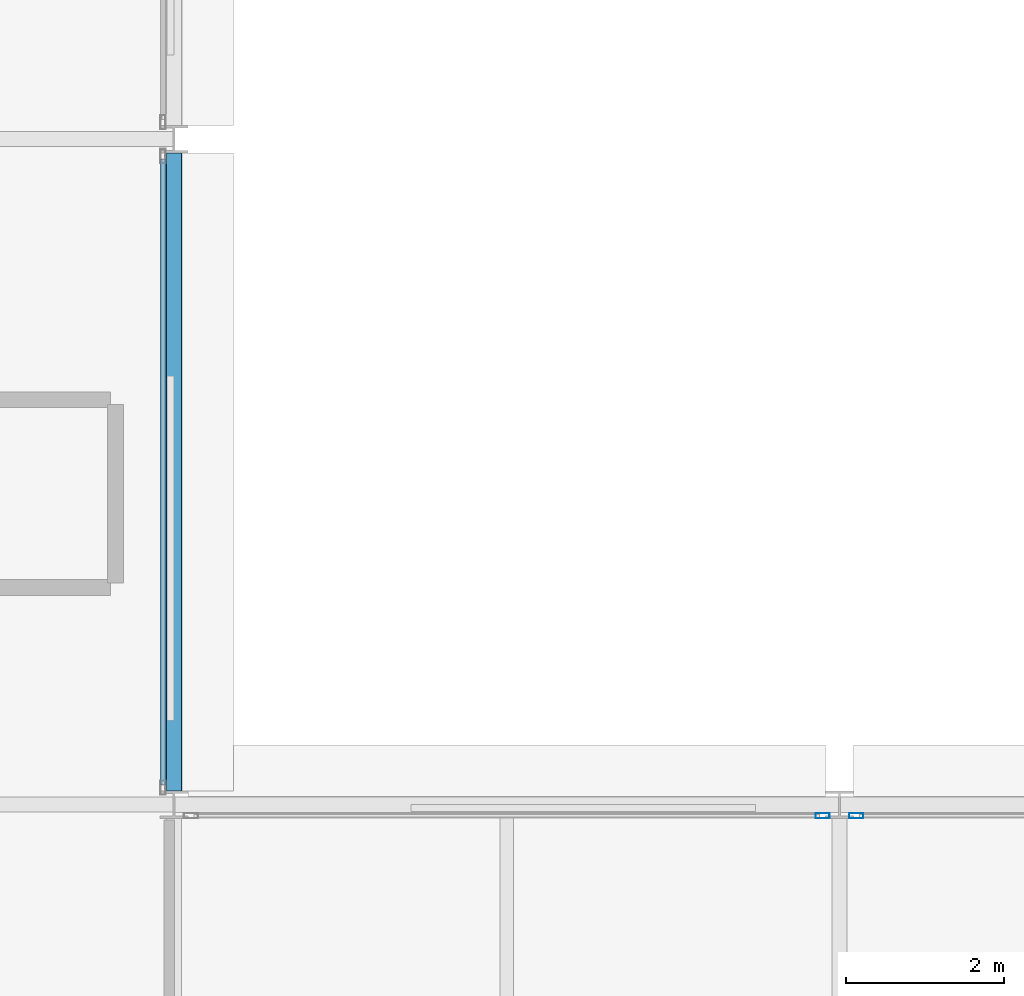
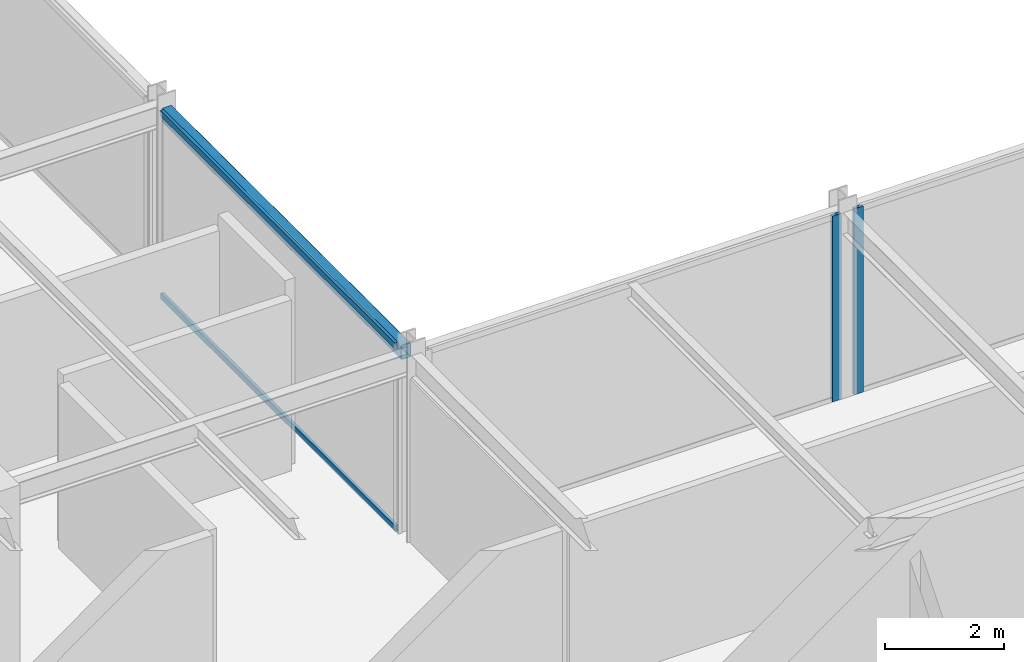
# One storey, part 15 of 29: 4 members, 1 beam, 3 elements without a shape of their own.
"""IFC4 building model written with IfcOpenShell, lengths in metres."""

from ifc_helpers import new_model, si_unit, direction, frame, origin, origin_2d, place, context, subcontext, project, spatial, hollow_rectangle, extrude, material, layer, layer_set, material_profile, profile_set, type_object, element, aggregate, save


model = new_model("IFC4")

# Units and contexts
model_context = context("Model", 3, precision=1e-05, world=origin(), true_north=direction((0.0, 1.0)))
body_context = subcontext(model_context, "Body", "Model", "MODEL_VIEW")
ifc_project = project(units=[si_unit("LENGTHUNIT", "METRE"), si_unit("AREAUNIT", "SQUARE_METRE"), si_unit("VOLUMEUNIT", "CUBIC_METRE"), si_unit("PLANEANGLEUNIT", "RADIAN"), si_unit("MASSUNIT", "GRAM", prefix="KILO")], contexts=[model_context])

# Site, building, storey
site_placement = place(None, origin())
site = spatial("IfcSite", under=ifc_project, at=site_placement, CompositionType="ELEMENT")
building_placement = place(site_placement, origin())
building = spatial("IfcBuilding", under=site, at=building_placement, Name="Nerrivon Quay Data Exchange", CompositionType="ELEMENT")
storey_placement = place(building_placement, frame((0.0, 0.0, 191.89990234375)))
storey = spatial("IfcBuildingStorey", under=building, at=storey_placement, Name="L45", CompositionType="ELEMENT", Elevation=191.89990234375)

# Beam
ifc_material_1 = material(Name="Steel Grade C350L0 (350 MPa)", Category="steel")
ifc_material_profile_1 = material_profile(ifc_material_1, hollow_rectangle(XDim=0.199951171875, YDim=0.300048828125, WallThickness=0.012451171875, InnerFilletRadius=0.018798828125, OuterFilletRadius=0.03125, at=origin_2d()), Name="300x200x12.5RHS")
ifc_profile_set_1 = profile_set([ifc_material_profile_1], Name="Steel Grade C350L0 (350 MPa)")
beam_type = type_object("IfcBeamType", Name="BM-SP3-300x200RHS", PredefinedType="SPANDREL", material=ifc_profile_set_1)
beam_placement = place(storey_placement, frame((25.199951171875, 25.375, 3.675048828125), z_axis=(0.0, 1.0, 0.0), x_axis=(-1.0, 0.0, 0.0)))
element("IfcBeam", 1, at=beam_placement, inside=storey, type_object=beam_type, Name="L45 NS Girder X=25.2 (25.2..33.6)", PredefinedType="SPANDREL", context=body_context, shape_type="SweptSolid", body=[
    extrude(hollow_rectangle(XDim=0.199951171875, YDim=0.300048828125, WallThickness=0.012451171875, InnerFilletRadius=0.018798828125, OuterFilletRadius=0.03125, at=origin_2d()), origin(), (0.0, 0.0, 1.0), 8.050048828125),
])

# Curtain wall, member
ifc_material_2 = material(Name="Anodised aluminium 6063-T6", Category="aluminium")
ifc_layer = layer(ifc_material_2, 0.195068359375)
ifc_layer_set = layer_set([ifc_layer], Name="Anodised aluminium 6063-T6")
curtain_wall_type = type_object("IfcCurtainWallType", Name="CW-SYS-06", PredefinedType="NOTDEFINED", material=ifc_layer_set)
curtain_wall_1_placement = place(storey_placement, origin())
curtain_wall_1 = element("IfcCurtainWall", 2, at=curtain_wall_1_placement, inside=storey, type_object=curtain_wall_type, Name="L45 Unitised Curtain Wall 16", PredefinedType="NOTDEFINED")
ifc_material_profile_2 = material_profile(ifc_material_2, hollow_rectangle(XDim=0.06494140625, YDim=0.179931640625, WallThickness=0.00341796875, at=origin_2d()), Name="ALU-MULL-180x65")
ifc_profile_set_2 = profile_set([ifc_material_profile_2], Name="Anodised aluminium 6063-T6")
member_type_1 = type_object("IfcMemberType", Name="CWM-180x65", PredefinedType="MULLION", material=ifc_profile_set_2)
member_1_placement = place(storey_placement, frame((33.387451171875, 25.06005859375, 0.0), z_axis=(0.0, 0.0, 1.0), x_axis=(0.0, 1.0, 0.0)))
member_1 = element("IfcMember", 3, at=member_1_placement, type_object=member_type_1, Name="CW06 mullion 2", PredefinedType="MULLION", context=body_context, shape_type="SweptSolid", body=[
    extrude(hollow_rectangle(XDim=0.06494140625, YDim=0.179931640625, WallThickness=0.00341796875, at=origin_2d()), origin(), (0.0, 0.0, 1.0), 3.8251953125),
])
aggregate(curtain_wall_1, [member_1])

curtain_wall_2_placement = place(storey_placement, origin())
curtain_wall_2 = element("IfcCurtainWall", 4, at=curtain_wall_2_placement, inside=storey, type_object=curtain_wall_type, Name="L45 Unitised Curtain Wall 17", PredefinedType="NOTDEFINED")
member_2_placement = place(storey_placement, frame((33.8125, 25.06005859375, 0.0), z_axis=(0.0, 0.0, 1.0), x_axis=(0.0, 1.0, 0.0)))
member_2 = element("IfcMember", 5, at=member_2_placement, type_object=member_type_1, Name="CW06 mullion 1", PredefinedType="MULLION", context=body_context, shape_type="SweptSolid", body=[
    extrude(hollow_rectangle(XDim=0.06494140625, YDim=0.179931640625, WallThickness=0.00341796875, at=origin_2d()), origin(), (0.0, 0.0, 1.0), 3.8251953125),
])
aggregate(curtain_wall_2, [member_2])

# Curtain wall, members
curtain_wall_3_placement = place(storey_placement, origin())
curtain_wall_3 = element("IfcCurtainWall", 6, at=curtain_wall_3_placement, inside=storey, type_object=curtain_wall_type, Name="L45 Unitised Curtain Wall 15", PredefinedType="NOTDEFINED")
ifc_material_profile_3 = material_profile(ifc_material_2, hollow_rectangle(XDim=0.06005859375, YDim=0.1201171875, WallThickness=0.003173828125, at=origin_2d()), Name="ALU-TRAN-120x60")
ifc_profile_set_3 = profile_set([ifc_material_profile_3], Name="Anodised aluminium 6063-T6")
member_type_2 = type_object("IfcMemberType", Name="CWT-120x60", PredefinedType="USERDEFINED", material=ifc_profile_set_3)
member_3_placement = place(storey_placement, frame((25.06005859375, 33.35009765625, 0.03271484375), z_axis=(0.0, -1.0, 0.0), x_axis=(1.0, 0.0, 0.0)))
member_3 = element("IfcMember", 7, at=member_3_placement, type_object=member_type_2, Name="CW06 transom 1.1", ObjectType="TRANSOM", PredefinedType="USERDEFINED", context=body_context, shape_type="SweptSolid", body=[
    extrude(hollow_rectangle(XDim=0.06005859375, YDim=0.1201171875, WallThickness=0.003173828125, at=origin_2d()), origin(), (0.0, 0.0, 1.0), 7.900146484375),
])
member_4_placement = place(storey_placement, frame((25.06005859375, 33.35009765625, 3.79248046875), z_axis=(0.0, -1.0, 0.0), x_axis=(1.0, 0.0, 0.0)))
member_4 = element("IfcMember", 8, at=member_4_placement, type_object=member_type_2, Name="CW06 transom 1.2", ObjectType="TRANSOM", PredefinedType="USERDEFINED", context=body_context, shape_type="SweptSolid", body=[
    extrude(hollow_rectangle(XDim=0.06005859375, YDim=0.1201171875, WallThickness=0.003173828125, at=origin_2d()), origin(), (0.0, 0.0, 1.0), 7.900146484375),
])
aggregate(curtain_wall_3, [member_3, member_4])

save(model, "model.ifc")
